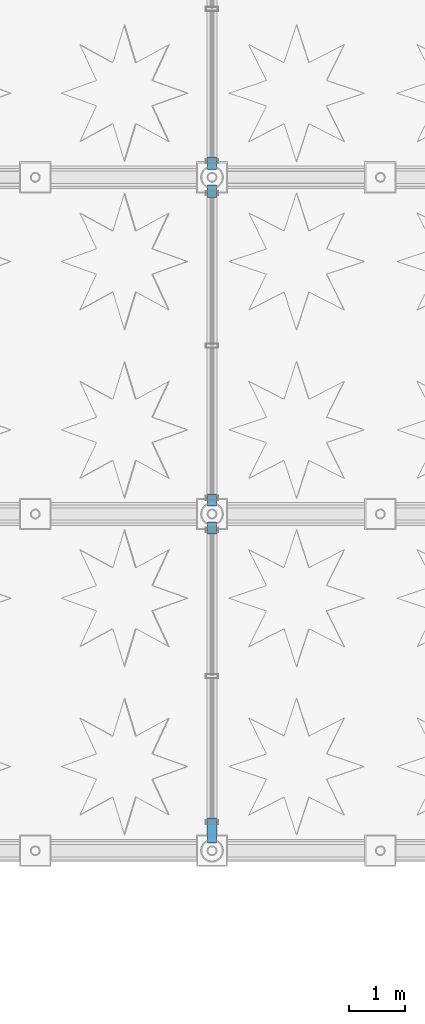
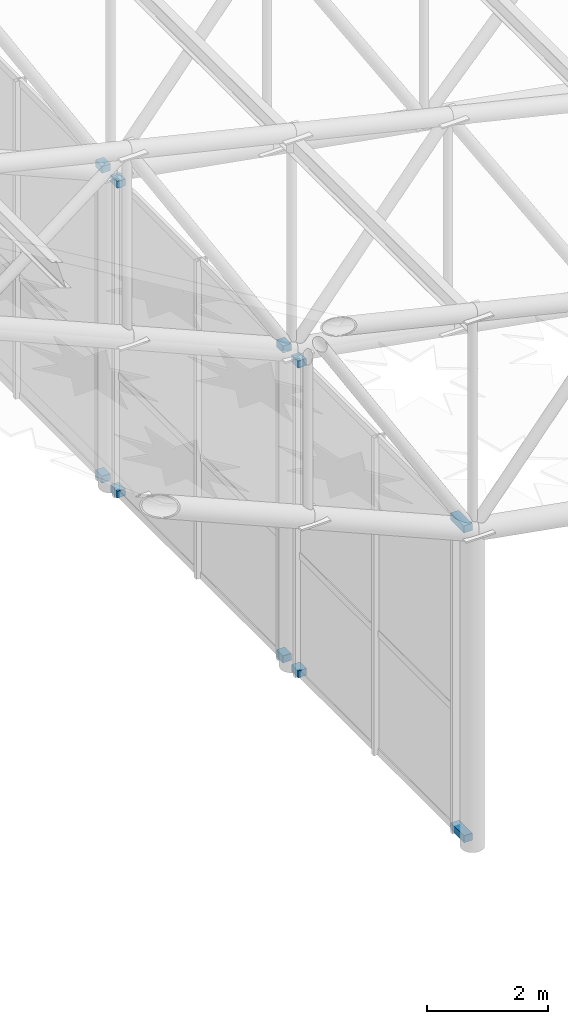
# One storey, part 103 of 112: 10 discrete accessories.
"""IFC4 building model written with IfcOpenShell, lengths in metres."""

from ifc_helpers import new_model, si_unit, direction, frame, origin, origin_2d, place, context, subcontext, project, spatial, rectangle, extrude, material, type_object, element, save


model = new_model("IFC4")

# Units and contexts
model_context = context("Model", 3, precision=1e-05, world=origin(), true_north=direction((0.0, 1.0)))
body_context = subcontext(model_context, "Body", "Model", "MODEL_VIEW")
ifc_project = project(units=[si_unit("LENGTHUNIT", "METRE"), si_unit("AREAUNIT", "SQUARE_METRE"), si_unit("VOLUMEUNIT", "CUBIC_METRE"), si_unit("PLANEANGLEUNIT", "RADIAN"), si_unit("MASSUNIT", "GRAM", prefix="KILO"), si_unit("THERMODYNAMICTEMPERATUREUNIT", "KELVIN"), si_unit("POWERUNIT", "WATT")], contexts=[model_context])

# Site, building, storey
site_placement = place(None, origin())
site = spatial("IfcSite", under=ifc_project, at=site_placement, CompositionType="ELEMENT")
building_placement = place(site_placement, origin())
building = spatial("IfcBuilding", under=site, at=building_placement, Name="Phaisarnlok Congress Hotel", CompositionType="ELEMENT")
storey_placement = place(building_placement, frame((0.0, 0.0, 19.800048828125)))
storey = spatial("IfcBuildingStorey", under=building, at=storey_placement, Name="L04", CompositionType="ELEMENT", Elevation=19.800048828125)

# Discrete accessories
ifc_material = material(Name="Steel S355", Category="steel")
discrete_accessory_type = type_object("IfcDiscreteAccessoryType", Name="ACC-BRK-STL", PredefinedType="BRACKET", material=ifc_material)
for number, where, z_axis, x_axis, name in (
    (1, (120.0, 48.360107421875, 0.0), (0.0, 0.0, 1.0), (1.0, 0.0, 0.0), "Curtain wall steel jamb spider bracket BK-01"),
    (2, (120.0, 48.360107421875, 6.27001953125), (0.0, 0.0, 1.0), (1.0, 0.0, 0.0), "Curtain wall steel jamb spider bracket BK-01"),
):
    element("IfcDiscreteAccessory", number, at=place(storey_placement, frame(where, z_axis=z_axis, x_axis=x_axis)), inside=storey, type_object=discrete_accessory_type, Name=name, PredefinedType="BRACKET", context=body_context, shape_type="SweptSolid", body=[
        extrude(rectangle(XDim=0.159912109375, YDim=0.43994140625, at=origin_2d()), origin(), (0.0, 0.0, 1.0), 0.139892578125),
    ])
for number, where, z_axis, x_axis, name in (
    (3, (120.0, 53.75, 0.0), (0.0, 0.0, 1.0), (1.0, 0.0, 0.0), "Curtain wall steel jamb spider bracket BK-01"),
    (4, (120.0, 53.75, 6.27001953125), (0.0, 0.0, 1.0), (1.0, 0.0, 0.0), "Curtain wall steel jamb spider bracket BK-01"),
    (5, (120.0, 54.25, 0.0), (0.0, 0.0, 1.0), (1.0, 0.0, 0.0), "Curtain wall steel jamb spider bracket BK-01"),
    (6, (120.0, 54.25, 6.27001953125), (0.0, 0.0, 1.0), (1.0, 0.0, 0.0), "Curtain wall steel jamb spider bracket BK-01"),
    (7, (120.0, 59.75, 0.0), (0.0, 0.0, 1.0), (1.0, 0.0, 0.0), "Curtain wall steel jamb spider bracket BK-01"),
    (8, (120.0, 59.75, 6.27001953125), (0.0, 0.0, 1.0), (1.0, 0.0, 0.0), "Curtain wall steel jamb spider bracket BK-01"),
    (9, (120.0, 60.25, 0.0), (0.0, 0.0, 1.0), (1.0, 0.0, 0.0), "Curtain wall steel jamb spider bracket BK-01"),
    (10, (120.0, 60.25, 6.27001953125), (0.0, 0.0, 1.0), (1.0, 0.0, 0.0), "Curtain wall steel jamb spider bracket BK-01"),
):
    element("IfcDiscreteAccessory", number, at=place(storey_placement, frame(where, z_axis=z_axis, x_axis=x_axis)), inside=storey, type_object=discrete_accessory_type, Name=name, PredefinedType="BRACKET", context=body_context, shape_type="SweptSolid", body=[
        extrude(rectangle(XDim=0.159912109375, YDim=0.219970703125, at=origin_2d()), origin(), (0.0, 0.0, 1.0), 0.139892578125),
    ])

save(model, "model.ifc")
